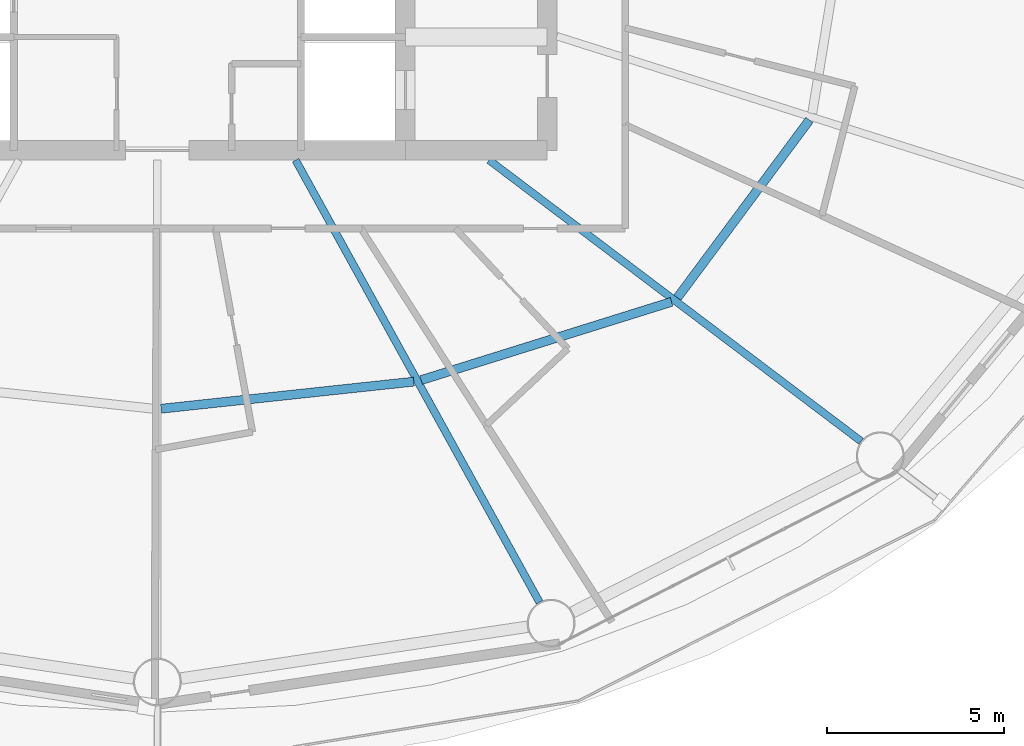
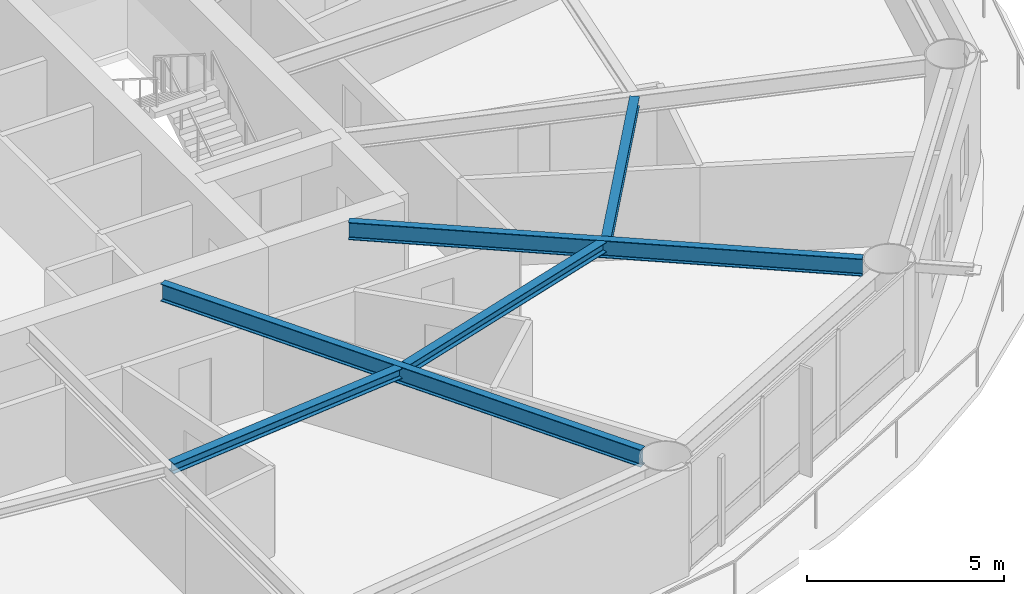
# One storey, part 5 of 24: 5 beams.
"""IFC4 building model written with IfcOpenShell, lengths in metres."""

from ifc_helpers import new_model, si_unit, direction, frame, origin, origin_2d, place, context, subcontext, project, spatial, i_section, extrude, material, material_profile, profile_set, type_object, element, save


model = new_model("IFC4")

# Units and contexts
model_context = context("Model", 3, precision=1e-05, world=origin(), true_north=direction((0.0, 1.0)))
body_context = subcontext(model_context, "Body", "Model", "MODEL_VIEW")
ifc_project = project(units=[si_unit("LENGTHUNIT", "METRE"), si_unit("AREAUNIT", "SQUARE_METRE"), si_unit("VOLUMEUNIT", "CUBIC_METRE"), si_unit("PLANEANGLEUNIT", "RADIAN"), si_unit("MASSUNIT", "GRAM", prefix="KILO")], contexts=[model_context])

# Site, building, storey
site_placement = place(None, origin())
site = spatial("IfcSite", under=ifc_project, at=site_placement, CompositionType="ELEMENT")
building_placement = place(site_placement, origin())
building = spatial("IfcBuilding", under=site, at=building_placement, Name="Sarneth Arch Tower", CompositionType="ELEMENT")
storey_placement = place(building_placement, frame((0.0, 0.0, 123.60009765625)))
storey = spatial("IfcBuildingStorey", under=building, at=storey_placement, Name="L31", CompositionType="ELEMENT", Elevation=123.60009765625)

# Beams
ifc_material_1 = material(Name="Steel S355", Category="steel")
ifc_material_profile_1 = material_profile(ifc_material_1, i_section(OverallWidth=0.25390625, OverallDepth=0.305908203125, WebThickness=0.0087890625, FlangeThickness=0.0146484375, FilletRadius=0.014892578125, at=origin_2d()), Name="W310x79")
ifc_profile_set_1 = profile_set([ifc_material_profile_1], Name="Steel S355")
beam_type_1 = type_object("IfcBeamType", Name="BM-JOIST-310A", PredefinedType="JOIST", material=ifc_profile_set_1)
beam_1_placement = place(storey_placement, frame((48.10498046875, 27.9111328125, 3.226806640625), z_axis=(0.99429330851, 0.106680910441, 0.0), x_axis=(-0.106680910441, 0.99429330851, 0.0)))
element("IfcBeam", 1, at=beam_1_placement, inside=storey, type_object=beam_type_1, Name="L31 Secondary floor joist 13", PredefinedType="JOIST", context=body_context, shape_type="SweptSolid", body=[
    extrude(i_section(OverallWidth=0.25390625, OverallDepth=0.305908203125, WebThickness=0.0087890625, FlangeThickness=0.0146484375, FilletRadius=0.014892578125, at=origin_2d()), origin(), (0.0, 0.0, 1.0), 7.174560546875),
])
beam_2_placement = place(storey_placement, frame((55.4443359375, 28.71923828125, 3.226806640625), z_axis=(0.9544870201, 0.298252457594, 0.0), x_axis=(-0.298252457594, 0.9544870201, 0.0)))
element("IfcBeam", 2, at=beam_2_placement, inside=storey, type_object=beam_type_1, Name="L31 Secondary floor joist 14", PredefinedType="JOIST", context=body_context, shape_type="SweptSolid", body=[
    extrude(i_section(OverallWidth=0.25390625, OverallDepth=0.305908203125, WebThickness=0.0087890625, FlangeThickness=0.0146484375, FilletRadius=0.014892578125, at=origin_2d()), origin(), (0.0, 0.0, 1.0), 7.40234375),
])
beam_3_placement = place(storey_placement, frame((62.67333984375, 31.043212890625, 3.226806640625), z_axis=(0.596354224217, 0.80272139579, 0.0), x_axis=(-0.80272139579, 0.596354224217, 0.0)))
element("IfcBeam", 3, at=beam_3_placement, inside=storey, type_object=beam_type_1, Name="L31 Secondary floor joist 15", PredefinedType="JOIST", context=body_context, shape_type="SweptSolid", body=[
    extrude(i_section(OverallWidth=0.25390625, OverallDepth=0.305908203125, WebThickness=0.0087890625, FlangeThickness=0.0146484375, FilletRadius=0.014892578125, at=origin_2d()), origin(), (0.0, 0.0, 1.0), 6.246337890625),
])
ifc_material_2 = material(Name="Steel S355", Category="steel")
ifc_material_profile_2 = material_profile(ifc_material_2, i_section(OverallWidth=0.2109375, OverallDepth=0.5390625, WebThickness=0.01171875, FlangeThickness=0.018798828125, FilletRadius=0.01806640625, at=origin_2d()), Name="W530x109")
ifc_profile_set_2 = profile_set([ifc_material_profile_2], Name="Steel S355")
beam_type_2 = type_object("IfcBeamType", Name="BM-RAD-530B", PredefinedType="BEAM", material=ifc_profile_set_2)
beam_4_placement = place(storey_placement, frame((51.90283203125, 34.925048828125, 3.1103515625), z_axis=(0.48301301286, -0.875613173387, 0.0), x_axis=(0.875613173387, 0.48301301286, 0.0)))
element("IfcBeam", 4, at=beam_4_placement, inside=storey, type_object=beam_type_2, Name="L31 Radial floor girder 14", PredefinedType="BEAM", context=body_context, shape_type="SweptSolid", body=[
    extrude(i_section(OverallWidth=0.2109375, OverallDepth=0.5390625, WebThickness=0.01171875, FlangeThickness=0.018798828125, FilletRadius=0.01806640625, at=origin_2d()), origin(), (0.0, 0.0, 1.0), 14.246826171875),
])
beam_5_placement = place(storey_placement, frame((57.36181640625, 34.925048828125, 3.1103515625), z_axis=(0.797801476102, -0.602920230818, 0.0), x_axis=(0.602920230818, 0.797801476102, 0.0)))
element("IfcBeam", 5, at=beam_5_placement, inside=storey, type_object=beam_type_2, Name="L31 Radial floor girder 15", PredefinedType="BEAM", context=body_context, shape_type="SweptSolid", body=[
    extrude(i_section(OverallWidth=0.2109375, OverallDepth=0.5390625, WebThickness=0.01171875, FlangeThickness=0.018798828125, FilletRadius=0.01806640625, at=origin_2d()), origin(), (0.0, 0.0, 1.0), 13.15771484375),
])

save(model, "model.ifc")
